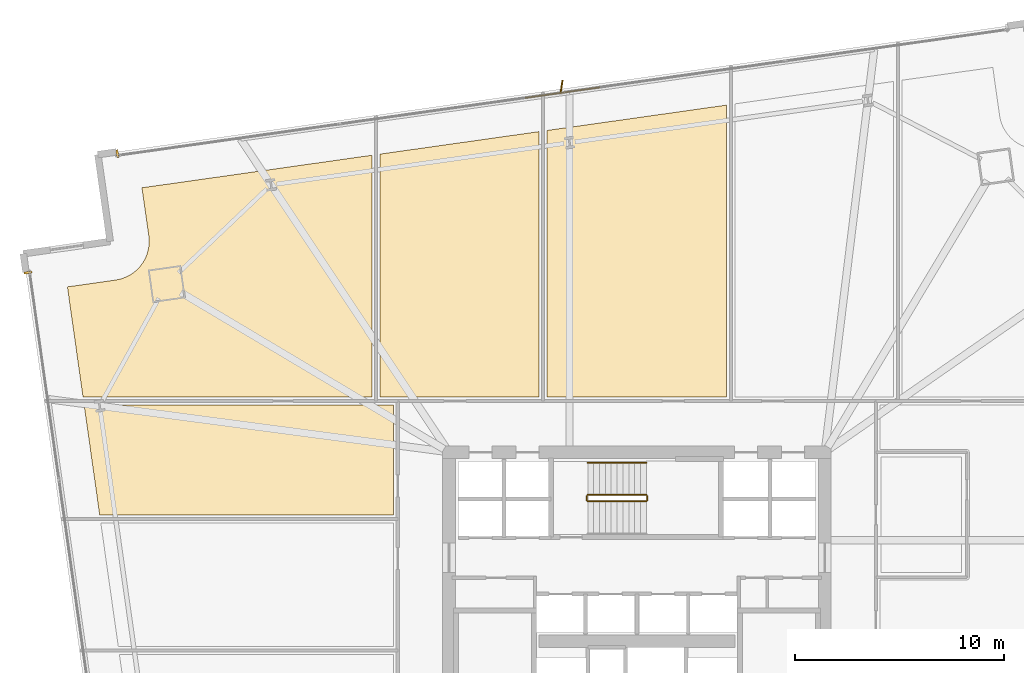
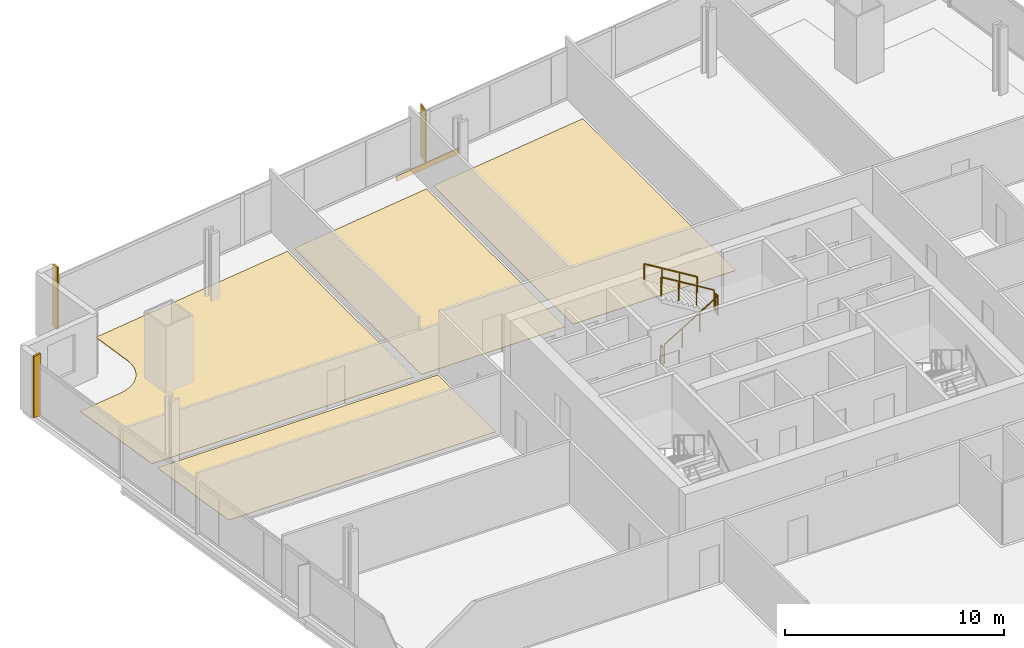
# One storey, part 32 of 33: 7 coverings, 5 railings, 1 shading device.
"""IFC4 building model written with IfcOpenShell, lengths in metres."""

import ifcopenshell
import ifcopenshell.guid

model = None  # the IFC model being written
_history = None  # IfcOwnerHistory: only IFC2X3 demands one
_inside = {}  # id of a spatial element -> (the spatial element, [elements in it])
_under = {}  # id of a project, library or spatial element -> (it, [spatial elements below it])
_declared = {}  # id of a project -> (the project, [libraries it declares])
_typed = {}  # id of a type object -> (the type object, [elements of that type])
_made_of = {}  # id of a material, layer set ... -> (it, [elements and type objects made of it])


def new_model(schema):
    """Start an empty IFC model of exactly this schema.

    Asked for "IFC4X3", IfcOpenShell would pick the latest addendum, in which some entities
    have other attributes; the version numbers below select the first issue.
    IFC2X3 requires an IfcOwnerHistory on every rooted entity: one is made here for all.
    """
    global model, _history
    if schema == "IFC4X3":
        model = ifcopenshell.file(schema_version=(4, 3, 0, 0))
    else:
        model = ifcopenshell.file(schema=schema)
    _inside.clear()
    _under.clear()
    _declared.clear()
    _typed.clear()
    _made_of.clear()
    _history = None
    if model.schema == "IFC2X3":
        org = make("IfcOrganization", Name="unknown")
        user = make(
            "IfcPersonAndOrganization",
            ThePerson=make("IfcPerson", FamilyName="unknown"),
            TheOrganization=org,
        )
        app = make(
            "IfcApplication",
            ApplicationDeveloper=org,
            Version="unknown",
            ApplicationFullName="unknown",
            ApplicationIdentifier="unknown",
        )
        _history = make(
            "IfcOwnerHistory",
            OwningUser=user,
            OwningApplication=app,
            ChangeAction="ADDED",
            CreationDate=0,
        )
    return model


def make(cls, **values):
    """One entity of the class cls with the attributes given. An attribute that is None is left unset."""
    return model.create_entity(
        cls, **{name: value for name, value in values.items() if value is not None}
    )


def rooted(cls, **values):
    """An entity with a GlobalId (a new one), such as an element, a storey or a relation."""
    return make(cls, GlobalId=ifcopenshell.guid.new(), OwnerHistory=_history, **values)


def si_unit(unit_type, name, prefix=None):
    """IfcSIUnit, for example si_unit("LENGTHUNIT", "METRE", prefix="MILLI")."""
    return make("IfcSIUnit", UnitType=unit_type, Prefix=prefix, Name=name)


def assignment(units):
    """IfcUnitAssignment: the units of a project."""
    return None if units is None else make("IfcUnitAssignment", Units=units)


def point(xyz):
    """IfcCartesianPoint."""
    return None if xyz is None else make("IfcCartesianPoint", Coordinates=xyz)


def direction(xyz):
    """IfcDirection."""
    return None if xyz is None else make("IfcDirection", DirectionRatios=xyz)


def frame(location, z_axis=None, x_axis=None):
    """IfcAxis2Placement3D, a coordinate frame: its origin and axes. An axis left out is left unset."""
    return make(
        "IfcAxis2Placement3D",
        Location=point(location),
        Axis=direction(z_axis),
        RefDirection=direction(x_axis),
    )


def frame_2d(location, x_axis=None):
    """IfcAxis2Placement2D, a coordinate frame in the plane: its origin and x axis."""
    return make(
        "IfcAxis2Placement2D", Location=point(location), RefDirection=direction(x_axis)
    )


def origin():
    """The frame at (0, 0, 0) with its axes left unset."""
    return frame((0.0, 0.0, 0.0))


def origin_2d():
    """The frame at (0, 0) in the plane with its x axis left unset."""
    return frame_2d((0.0, 0.0))


def place(relative_to, where):
    """IfcLocalPlacement: puts the frame where relative to a parent placement (None: the world)."""
    return make(
        "IfcLocalPlacement", PlacementRelTo=relative_to, RelativePlacement=where
    )


def context(
    kind, dimensions, precision=None, world=None, true_north=None, identifier=None
):
    """IfcGeometricRepresentationContext, for example the 3D "Model" context."""
    return make(
        "IfcGeometricRepresentationContext",
        ContextIdentifier=identifier,
        ContextType=kind,
        CoordinateSpaceDimension=dimensions,
        Precision=precision,
        WorldCoordinateSystem=world,
        TrueNorth=true_north,
    )


def subcontext(parent, identifier, kind, view, scale=None):
    """IfcGeometricRepresentationSubContext, for example "Body" below "Model"."""
    return make(
        "IfcGeometricRepresentationSubContext",
        ContextIdentifier=identifier,
        ContextType=kind,
        ParentContext=parent,
        TargetScale=scale,
        TargetView=view,
    )


def project(units=None, contexts=None):
    """IfcProject with its units and contexts."""
    return rooted(
        "IfcProject",
        Name="project",
        RepresentationContexts=contexts,
        UnitsInContext=assignment(units),
    )


def spatial(cls, under=None, at=None, **own):
    """A site, building, storey or space (cls), placed at a placement, below another one or the project."""
    s = rooted(cls, ObjectPlacement=at, **own)
    if under is not None:
        _under.setdefault(under.id(), (under, []))[1].append(s)
    return s


def polyline(points):
    """IfcPolyline through the points."""
    return make("IfcPolyline", Points=[point(p) for p in points])


def profile(cls, at=None, kind="AREA", **sizes):
    """A parametric profile (cls). Its sizes go by their IFC names, for example OverallWidth=200.0."""
    return make(cls, ProfileType=kind, Position=at, **sizes)


def rectangle(**sizes):
    """IfcRectangleProfileDef."""
    return profile("IfcRectangleProfileDef", **sizes)


def outline(outer, holes=None, kind="AREA"):
    """IfcArbitraryClosedProfileDef: a profile drawn as a closed curve; with holes, ...WithVoids."""
    if holes is None:
        return make("IfcArbitraryClosedProfileDef", ProfileType=kind, OuterCurve=outer)
    return make(
        "IfcArbitraryProfileDefWithVoids",
        ProfileType=kind,
        OuterCurve=outer,
        InnerCurves=holes,
    )


def extrude(swept, where, along, depth):
    """IfcExtrudedAreaSolid: the profile swept, set in the frame where, extruded along a direction by depth."""
    return make(
        "IfcExtrudedAreaSolid",
        SweptArea=swept,
        Position=where,
        ExtrudedDirection=direction(along),
        Depth=depth,
    )


def shape(context_of_items, identifier, shape_type, items):
    """IfcShapeRepresentation: the items that make up one representation, for example the "Body"."""
    return make(
        "IfcShapeRepresentation",
        ContextOfItems=context_of_items,
        RepresentationIdentifier=identifier,
        RepresentationType=shape_type,
        Items=items,
    )


def source(mapping_origin, context_of_items, identifier, shape_type, items):
    """IfcRepresentationMap: a shape defined once, which mapped items show again and again."""
    return make(
        "IfcRepresentationMap",
        MappingOrigin=mapping_origin,
        MappedRepresentation=shape(context_of_items, identifier, shape_type, items),
    )


def transform(
    local_origin,
    x_axis=None,
    y_axis=None,
    z_axis=None,
    scale=None,
    scale2=None,
    scale3=None,
    uniform=True,
):
    """IfcCartesianTransformationOperator3D, or its non-uniform kind. x_axis, y_axis, z_axis: its Axis1, 2, 3."""
    if uniform:
        return make(
            "IfcCartesianTransformationOperator3D",
            Axis1=direction(x_axis),
            Axis2=direction(y_axis),
            LocalOrigin=point(local_origin),
            Scale=scale,
            Axis3=direction(z_axis),
        )
    return make(
        "IfcCartesianTransformationOperator3DnonUniform",
        Axis1=direction(x_axis),
        Axis2=direction(y_axis),
        LocalOrigin=point(local_origin),
        Scale=scale,
        Axis3=direction(z_axis),
        Scale2=scale2,
        Scale3=scale3,
    )


def mapped(mapping_source, mapping_target):
    """IfcMappedItem: shows the shape of a source again, moved by a transform."""
    return make(
        "IfcMappedItem", MappingSource=mapping_source, MappingTarget=mapping_target
    )


def material(Name=None, Category=None):
    """IfcMaterial."""
    return make("IfcMaterial", Name=Name, Category=Category)


def layer(
    of_material, thickness, ventilated=None, Name=None, Category=None, Priority=None
):
    """IfcMaterialLayer: one layer of a wall or slab, of a material (None: an air gap)."""
    return make(
        "IfcMaterialLayer",
        Material=of_material,
        LayerThickness=thickness,
        IsVentilated=ventilated,
        Name=Name,
        Category=Category,
        Priority=Priority,
    )


def layer_set(layers, Name=None):
    """IfcMaterialLayerSet."""
    return make("IfcMaterialLayerSet", MaterialLayers=layers, LayerSetName=Name)


def made_of(thing, what):
    """Note that an element or type object is made of a material, layer set ...; save() writes the relation."""
    if what is not None:
        _made_of.setdefault(what.id(), (what, []))[1].append(thing)
    return thing


def type_object(cls, material=None, **own):
    """A type object (cls), such as IfcWallType, which elements share."""
    return made_of(rooted(cls, **own), material)


def element(
    cls,
    number,
    at=None,
    inside=None,
    cuts=None,
    type_object=None,
    material=None,
    context=None,
    identifier="Body",
    shape_type=None,
    held_by="IfcProductDefinitionShape",
    body=None,
    shapes=None,
    **own,
):
    """One element of the class cls, such as IfcWall. Its Tag is "e" and its number.

    at: its placement. inside: the storey or other place that contains it. cuts: it is an
    opening in that element (IfcRelVoidsElement). A single representation is given by context,
    identifier, shape_type and body (its items); several are given by shapes. held_by: the class
    of the entity that holds the representations. save() writes the other relations.
    """
    e = rooted(cls, Tag="e%d" % number, ObjectPlacement=at, **own)
    if body is not None:
        shapes = [shape(context, identifier, shape_type, body)]
    if shapes is not None:
        e.Representation = make(held_by, Representations=shapes)
    if inside is not None:
        _inside.setdefault(inside.id(), (inside, []))[1].append(e)
    if cuts is not None:
        rooted(
            "IfcRelVoidsElement", RelatingBuildingElement=cuts, RelatedOpeningElement=e
        )
    if type_object is not None:
        _typed.setdefault(type_object.id(), (type_object, []))[1].append(e)
    return made_of(e, material)


def aggregate(whole, parts):
    """IfcRelAggregates: a whole, such as a stair, and the parts it consists of."""
    return rooted("IfcRelAggregates", RelatingObject=whole, RelatedObjects=parts)


def save(model, path):
    """Write the relations noted so far, then the file.

    IfcRelAggregates (storeys below a building ...), IfcRelContainedInSpatialStructure (elements
    in a storey), IfcRelDefinesByType, IfcRelAssociatesMaterial and IfcRelDeclares: one each for
    every whole, place, type object, material and project.
    """
    for whole, parts in _under.values():
        aggregate(whole, parts)
    for where, things in _inside.values():
        rooted(
            "IfcRelContainedInSpatialStructure",
            RelatedElements=things,
            RelatingStructure=where,
        )
    for kind, things in _typed.values():
        rooted("IfcRelDefinesByType", RelatedObjects=things, RelatingType=kind)
    for what, things in _made_of.values():
        rooted("IfcRelAssociatesMaterial", RelatedObjects=things, RelatingMaterial=what)
    for by, libraries in _declared.values():
        rooted("IfcRelDeclares", RelatingContext=by, RelatedDefinitions=libraries)
    model.write(path)


model = new_model("IFC4")

# Units and contexts
model_context = context("Model", 3, precision=1e-05, world=origin(), true_north=direction((0.0, 1.0)))
body_context = subcontext(model_context, "Body", "Model", "MODEL_VIEW")
ifc_project = project(units=[si_unit("LENGTHUNIT", "METRE"), si_unit("AREAUNIT", "SQUARE_METRE"), si_unit("VOLUMEUNIT", "CUBIC_METRE"), si_unit("PLANEANGLEUNIT", "RADIAN"), si_unit("MASSUNIT", "GRAM", prefix="KILO")], contexts=[model_context])

# Site, building, storey
site_placement = place(None, origin())
site = spatial("IfcSite", under=ifc_project, at=site_placement, CompositionType="ELEMENT")
building_placement = place(site_placement, origin())
building = spatial("IfcBuilding", under=site, at=building_placement, Name="Haldenkirk Collegiate Tower", CompositionType="ELEMENT")
storey_placement = place(building_placement, frame((0.0, 0.0, 55.199951171875)))
storey = spatial("IfcBuildingStorey", under=building, at=storey_placement, Name="L12", CompositionType="ELEMENT", Elevation=55.199951171875)

# Coverings
ifc_material_1 = material(Name="Polished collegiate terrazzo", Category="concrete")
ifc_layer_1 = layer(ifc_material_1, 0.02490234375)
ifc_layer_set_1 = layer_set([ifc_layer_1], Name="Polished collegiate terrazzo")
covering_type_1 = type_object("IfcCoveringType", Name="COV-FLOOR-TERRAZZO", PredefinedType="FLOORING", material=ifc_layer_set_1)
covering_1_placement = place(storey_placement, origin())
element("IfcCovering", 1, at=covering_1_placement, inside=storey, type_object=covering_type_1, Name="L12 academic room finish 04", PredefinedType="FLOORING", context=body_context, shape_type="SweptSolid", body=[
    extrude(outline(polyline([(11.029296875, 42.2431640625), (11.03515625, 42.244140625), (11.20361328125, 42.276611328125), (11.215087890625, 42.279296875), (11.3798828125, 42.328125), (11.390869140625, 42.33203125), (11.550048828125, 42.396484375), (11.560791015625, 42.401611328125), (11.712646484375, 42.4814453125), (11.722900390625, 42.487548828125), (11.8662109375, 42.58203125), (11.875732421875, 42.5888671875), (12.00927734375, 42.697021484375), (12.01806640625, 42.704833984375), (12.140380859375, 42.825439453125), (12.1484375, 42.833984375), (12.25830078125, 42.966064453125), (12.26513671875, 42.9755859375), (12.361572265625, 43.11767578125), (12.36767578125, 43.127685546875), (12.44970703125, 43.278564453125), (12.454833984375, 43.289306640625), (12.521484375, 43.447509765625), (12.525634765625, 43.45849609375), (12.57666015625, 43.62255859375), (12.57958984375, 43.6337890625), (12.6142578125, 43.802001953125), (12.615966796875, 43.813720703125), (12.634033203125, 43.984619140625), (12.634765625, 43.996337890625), (12.6357421875, 44.16796875), (12.63525390625, 44.1796875), (12.61962890625, 44.3505859375), (12.618896484375, 44.356689453125), (12.292724609375, 46.663818359375), (23.300048828125, 48.220458984375), (23.300048828125, 36.64990234375), (9.467041015625, 36.64990234375), (8.72216796875, 41.9169921875), (11.029296875, 42.2431640625)])), origin(), (0.0, 0.0, 1.0), 0.025146484375),
])
covering_2_placement = place(storey_placement, origin())
element("IfcCovering", 2, at=covering_2_placement, inside=storey, type_object=covering_type_1, Name="L12 academic room finish 06", PredefinedType="FLOORING", context=body_context, shape_type="SweptSolid", body=[
    extrude(outline(polyline([(40.300048828125, 50.624755859375), (40.300048828125, 36.64990234375), (31.699951171875, 36.64990234375), (31.699951171875, 49.408447265625), (40.300048828125, 50.624755859375)])), origin(), (0.0, 0.0, 1.0), 0.025146484375),
])
ifc_material_2 = material(Name="Engineered collegiate oak acoustic flooring", Category="wood")
ifc_layer_2 = layer(ifc_material_2, 0.02197265625)
ifc_layer_set_2 = layer_set([ifc_layer_2], Name="Engineered collegiate oak acoustic flooring")
covering_type_2 = type_object("IfcCoveringType", Name="COV-FLOOR-TIMBER", PredefinedType="FLOORING", material=ifc_layer_set_2)
covering_3_placement = place(storey_placement, origin())
element("IfcCovering", 3, at=covering_3_placement, inside=storey, type_object=covering_type_2, Name="L12 academic room finish 05", PredefinedType="FLOORING", context=body_context, shape_type="SweptSolid", body=[
    extrude(outline(polyline([(31.300048828125, 49.351806640625), (31.300048828125, 36.64990234375), (23.699951171875, 36.64990234375), (23.699951171875, 48.277099609375), (31.300048828125, 49.351806640625)])), origin(), (0.0, 0.0, 1.0), 0.02197265625),
])
covering_4_placement = place(storey_placement, origin())
element("IfcCovering", 4, at=covering_4_placement, inside=storey, type_object=covering_type_2, Name="L12 academic room finish 11", PredefinedType="FLOORING", context=body_context, shape_type="SweptSolid", body=[
    extrude(outline(polyline([(9.523681640625, 36.25), (24.35009765625, 36.25), (24.35009765625, 31.0), (10.26611328125, 31.0), (9.523681640625, 36.25)])), origin(), (0.0, 0.0, 1.0), 0.02197265625),
])

# Railings
ifc_material_3 = material(Name="Painted architectural tubular steel", Category="steel")
railing_type_1 = type_object("IfcRailingType", Name="RLG-STAIR-GUARD-1100", PredefinedType="BALUSTRADE", material=ifc_material_3)
railing_1_placement = place(storey_placement, frame((33.64990234375, 31.64990234375, 0.17041015625)))
element("IfcRailing", 5, at=railing_1_placement, inside=storey, type_object=railing_type_1, Name="L12 ST-3 stair guard 1", PredefinedType="BALUSTRADE", context=body_context, shape_type="SweptSolid", body=[
    extrude(rectangle(XDim=0.048095703125, YDim=0.048095703125, at=origin_2d()), frame((0.0, 0.0, 1.076171875), z_axis=(0.854169791009, 0.0, 0.51999420009), x_axis=(0.0, 1.0, 0.0)), (0.0, 0.0, 1.0), 3.278076171875),
    extrude(rectangle(XDim=0.0419921875, YDim=0.0419921875, at=origin_2d()), origin(), (0.0, 0.0, 1.0), 1.052001953125),
    extrude(rectangle(XDim=0.0419921875, YDim=0.0419921875, at=origin_2d()), frame((0.933349609375, 0.0, 0.568115234375)), (0.0, 0.0, 1.0), 1.052001953125),
    extrude(rectangle(XDim=0.0419921875, YDim=0.0419921875, at=origin_2d()), frame((1.86669921875, 0.0, 1.136474609375)), (0.0, 0.0, 1.0), 1.052001953125),
    extrude(rectangle(XDim=0.0419921875, YDim=0.0419921875, at=origin_2d()), frame((2.800048828125, 0.0, 1.70458984375)), (0.0, 0.0, 1.0), 1.052001953125),
])
railing_2_placement = place(storey_placement, frame((36.5, 31.699951171875, 1.875)))
element("IfcRailing", 6, at=railing_2_placement, inside=storey, type_object=railing_type_1, Name="L12 ST-3 stair guard 2", PredefinedType="BALUSTRADE", context=body_context, shape_type="SweptSolid", body=[
    extrude(rectangle(XDim=0.048095703125, YDim=0.048095703125, at=origin_2d()), frame((0.0, 0.0, 1.076171875), z_axis=(0.0, 1.0, 0.0), x_axis=(-1.0, 0.0, 0.0)), (0.0, 0.0, 1.0), 0.199951171875),
    extrude(rectangle(XDim=0.0419921875, YDim=0.0419921875, at=origin_2d()), origin(), (0.0, 0.0, 1.0), 1.052001953125),
    extrude(rectangle(XDim=0.0419921875, YDim=0.0419921875, at=origin_2d()), frame((0.0, 0.199951171875, 0.0)), (0.0, 0.0, 1.0), 1.052001953125),
])
railing_3_placement = place(storey_placement, frame((36.449951171875, 31.949951171875, 2.04541015625)))
element("IfcRailing", 7, at=railing_3_placement, inside=storey, type_object=railing_type_1, Name="L12 ST-3 stair guard 3", PredefinedType="BALUSTRADE", context=body_context, shape_type="SweptSolid", body=[
    extrude(rectangle(XDim=0.048095703125, YDim=0.048095703125, at=origin_2d()), frame((0.0, 0.0, 1.076171875), z_axis=(-0.854169791009, 0.0, 0.51999420009), x_axis=(0.0, -1.0, 0.0)), (0.0, 0.0, 1.0), 3.278076171875),
    extrude(rectangle(XDim=0.0419921875, YDim=0.0419921875, at=origin_2d()), origin(), (0.0, 0.0, 1.0), 1.052001953125),
    extrude(rectangle(XDim=0.0419921875, YDim=0.0419921875, at=origin_2d()), frame((-0.933349609375, 0.0, 0.568115234375)), (0.0, 0.0, 1.0), 1.052001953125),
    extrude(rectangle(XDim=0.0419921875, YDim=0.0419921875, at=origin_2d()), frame((-1.86669921875, 0.0, 1.136474609375)), (0.0, 0.0, 1.0), 1.052001953125),
    extrude(rectangle(XDim=0.0419921875, YDim=0.0419921875, at=origin_2d()), frame((-2.800048828125, 0.0, 1.70458984375)), (0.0, 0.0, 1.0), 1.052001953125),
])
railing_4_placement = place(storey_placement, frame((33.60009765625, 31.699951171875, 0.0)))
element("IfcRailing", 8, at=railing_4_placement, inside=storey, type_object=railing_type_1, Name="L12 ST-3 stair guard 4", PredefinedType="BALUSTRADE", context=body_context, shape_type="SweptSolid", body=[
    extrude(rectangle(XDim=0.048095703125, YDim=0.048095703125, at=origin_2d()), frame((0.0, 0.0, 1.076171875), z_axis=(0.0, 1.0, 0.0), x_axis=(-1.0, 0.0, 0.0)), (0.0, 0.0, 1.0), 0.199951171875),
    extrude(rectangle(XDim=0.0419921875, YDim=0.0419921875, at=origin_2d()), origin(), (0.0, 0.0, 1.0), 1.052001953125),
    extrude(rectangle(XDim=0.0419921875, YDim=0.0419921875, at=origin_2d()), frame((0.0, 0.199951171875, 0.0)), (0.0, 0.0, 1.0), 1.052001953125),
])
railing_type_2 = type_object("IfcRailingType", Name="RLG-STAIR-HANDRAIL-900", PredefinedType="HANDRAIL", material=ifc_material_3)
railing_5_placement = place(storey_placement, frame((36.449951171875, 33.5, 2.04541015625)))
element("IfcRailing", 9, at=railing_5_placement, inside=storey, type_object=railing_type_2, Name="L12 ST-3 stair handrail 2", PredefinedType="HANDRAIL", context=body_context, shape_type="SweptSolid", body=[
    extrude(rectangle(XDim=0.048095703125, YDim=0.048095703125, at=origin_2d()), frame((0.0, 0.0, 0.8759765625), z_axis=(-0.854169791009, 0.0, 0.51999420009), x_axis=(0.0, -1.0, 0.0)), (0.0, 0.0, 1.0), 3.278076171875),
    extrude(rectangle(XDim=0.0419921875, YDim=0.0419921875, at=origin_2d()), origin(), (0.0, 0.0, 1.0), 0.851806640625),
    extrude(rectangle(XDim=0.0419921875, YDim=0.0419921875, at=origin_2d()), frame((-0.933349609375, 0.0, 0.568115234375)), (0.0, 0.0, 1.0), 0.851806640625),
    extrude(rectangle(XDim=0.0419921875, YDim=0.0419921875, at=origin_2d()), frame((-1.86669921875, 0.0, 1.136474609375)), (0.0, 0.0, 1.0), 0.851806640625),
    extrude(rectangle(XDim=0.0419921875, YDim=0.0419921875, at=origin_2d()), frame((-2.800048828125, 0.0, 1.70458984375)), (0.0, 0.0, 1.0), 0.851806640625),
])

# Coverings
ifc_material_4 = material(Name="Anodised architectural bronze aluminium", Category="aluminium")
ifc_layer_3 = layer(ifc_material_4, 0.06005859375)
ifc_layer_set_3 = layer_set([ifc_layer_3], Name="Anodised architectural bronze aluminium")
covering_type_3 = type_object("IfcCoveringType", Name="COV-CLAD-BRONZE-60", PredefinedType="CLADDING", material=ifc_layer_set_3)
shared_shape_1 = source(origin(), body_context, "Body", "SweptSolid", [
    extrude(rectangle(XDim=3.60009765625, YDim=0.06005859375, at=origin_2d()), origin(), (0.0, 0.0, 1.0), 0.300048828125),
])
covering_5_placement = place(storey_placement, frame((32.433349609375, 51.218994140625, -0.2998046875), z_axis=(0.0, 0.0, 1.0), x_axis=(0.990146240249, 0.140037219771, 0.0)))
element("IfcCovering", 10, at=covering_5_placement, inside=storey, type_object=covering_type_3, Name="L12 architectural bronze spandrel cladding N", PredefinedType="CLADDING", context=body_context, shape_type="MappedRepresentation", body=[
    mapped(shared_shape_1, transform((0.0, 0.0, 0.0), x_axis=(1.0, 0.0, 0.0), y_axis=(0.0, 1.0, 0.0), z_axis=(0.0, 0.0, 1.0), scale=1.0)),
])
shared_shape_2 = source(origin(), body_context, "Body", "SweptSolid", [
    extrude(rectangle(XDim=0.10009765625, YDim=0.3798828125, at=origin_2d()), origin(), (0.0, 0.0, 1.0), 3.43994140625),
])
for number, where, z_axis, x_axis, name in (
    (11, (11.11279296875, 48.29443359375, 0.0), (0.0, 0.0, 1.0), (0.990146240249, 0.140037219771, 0.0), "L12 recessed curtain-wall bronze jamb closure NJL"),
    (12, (6.828125, 42.598388671875, 0.0), (0.0, 0.0, 1.0), (-0.140037219771, 0.990146240249, 0.0), "L12 recessed curtain-wall bronze jamb closure WJR"),
):
    element("IfcCovering", number, at=place(storey_placement, frame(where, z_axis=z_axis, x_axis=x_axis)), inside=storey, type_object=covering_type_3, Name=name, PredefinedType="CLADDING", context=body_context, shape_type="MappedRepresentation", body=[
        mapped(shared_shape_2, transform((0.0, 0.0, 0.0), x_axis=(1.0, 0.0, 0.0), y_axis=(0.0, 1.0, 0.0), z_axis=(0.0, 0.0, 1.0), scale=1.0)),
    ])

# Shading device
ifc_layer_4 = layer(ifc_material_4, 0.06494140625)
ifc_layer_set_4 = layer_set([ifc_layer_4], Name="Anodised architectural bronze aluminium")
shading_device_type = type_object("IfcShadingDeviceType", Name="SHD-FIN-BRONZE-620", PredefinedType="USERDEFINED", material=ifc_layer_set_4)
shared_shape_3 = source(origin(), body_context, "Body", "SweptSolid", [
    extrude(rectangle(XDim=0.6201171875, YDim=0.06494140625, at=origin_2d()), origin(), (0.0, 0.0, 1.0), 2.89111328125),
])
shading_device_placement = place(storey_placement, frame((32.391845703125, 51.510986328125, 0.0), z_axis=(0.0, 0.0, 1.0), x_axis=(0.138308876163, 0.990389143102, 0.0)))
element("IfcShadingDevice", 13, at=shading_device_placement, inside=storey, type_object=shading_device_type, Name="L12 folded bronze solar fin 1", ObjectType="FIN", PredefinedType="USERDEFINED", context=body_context, shape_type="MappedRepresentation", body=[
    mapped(shared_shape_3, transform((0.0, 0.0, 0.0), x_axis=(1.0, 0.0, 0.0), y_axis=(0.0, 1.0, 0.0), z_axis=(0.0, 0.0, 1.0), scale=1.0)),
])

save(model, "model.ifc")
